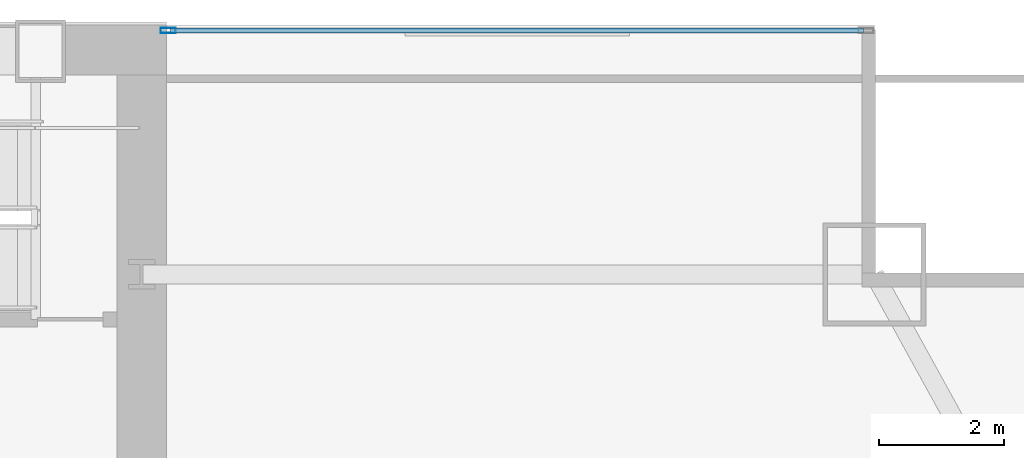
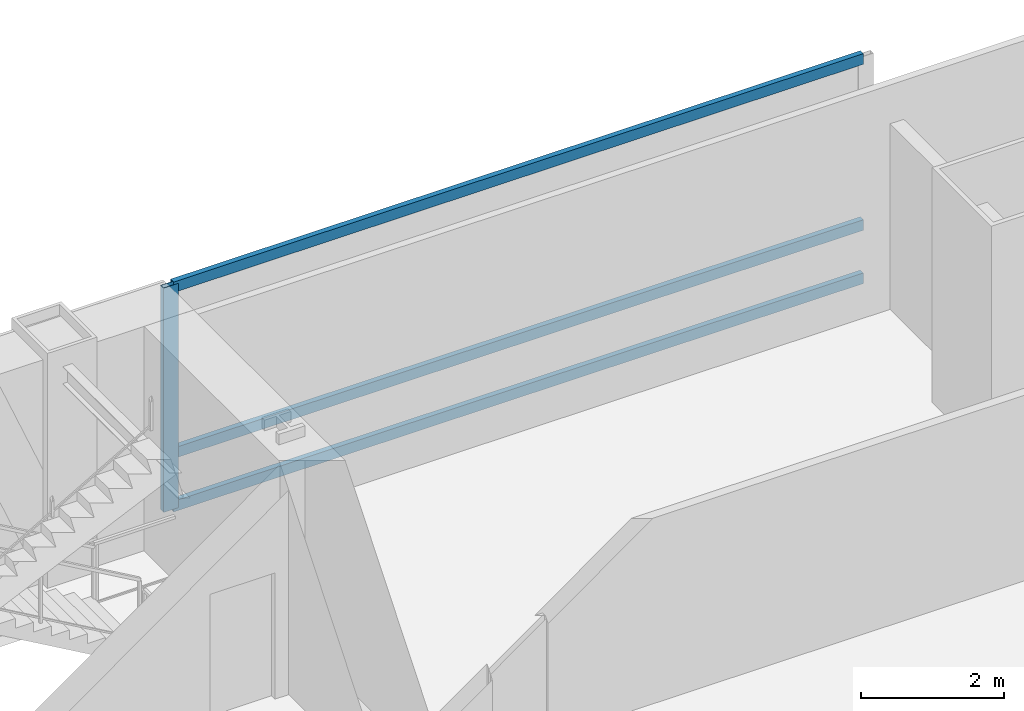
# One storey, part 20 of 33: 4 members, 1 element without a shape of its own.
"""IFC4 building model written with IfcOpenShell, lengths in metres."""

from ifc_helpers import new_model, si_unit, direction, frame, origin, origin_2d, place, context, subcontext, project, spatial, hollow_rectangle, extrude, material, material_profile, profile_set, type_object, element, aggregate, save


model = new_model("IFC4")

# Units and contexts
model_context = context("Model", 3, precision=1e-05, world=origin(), true_north=direction((0.0, 1.0)))
body_context = subcontext(model_context, "Body", "Model", "MODEL_VIEW")
ifc_project = project(units=[si_unit("LENGTHUNIT", "METRE"), si_unit("AREAUNIT", "SQUARE_METRE"), si_unit("VOLUMEUNIT", "CUBIC_METRE"), si_unit("PLANEANGLEUNIT", "RADIAN"), si_unit("MASSUNIT", "GRAM", prefix="KILO")], contexts=[model_context])

# Site, building, storey
site_placement = place(None, origin())
site = spatial("IfcSite", under=ifc_project, at=site_placement, CompositionType="ELEMENT")
building_placement = place(site_placement, origin())
building = spatial("IfcBuilding", under=site, at=building_placement, Name="Khoronbel Lancet Exchange", CompositionType="ELEMENT")
storey_placement = place(building_placement, frame((0.0, 0.0, 73.800048828125)))
storey = spatial("IfcBuildingStorey", under=building, at=storey_placement, Name="L17", CompositionType="ELEMENT", Elevation=73.800048828125)

# Curtain wall, members
ifc_material_1 = material(Name="Low-E Solar Control Insulating Glass", Category="glass")
curtain_wall_type = type_object("IfcCurtainWallType", Name="CW-1", PredefinedType="NOTDEFINED", material=ifc_material_1)
curtain_wall_placement = place(storey_placement, origin())
curtain_wall = element("IfcCurtainWall", 1, at=curtain_wall_placement, inside=storey, type_object=curtain_wall_type, Name="Unitised curtain wall CW-L17-NEFLK", PredefinedType="NOTDEFINED")
ifc_material_2 = material(Name="Bronze-Anodised Aluminium 6063-T6", Category="aluminium")
ifc_material_profile_1 = material_profile(ifc_material_2, hollow_rectangle(XDim=0.0849609375, YDim=0.239990234375, WallThickness=0.006103515625, at=origin_2d()), Name="ALU MULLION 85x240")
ifc_profile_set_1 = profile_set([ifc_material_profile_1], Name="Bronze-Anodised Aluminium 6063-T6")
member_type_1 = type_object("IfcMemberType", Name="MEM-CWM1", PredefinedType="MULLION", material=ifc_profile_set_1)
member_1_placement = place(storey_placement, frame((56.722412109375, 53.610107421875, 0.0), z_axis=(0.0, 0.0, 1.0), x_axis=(0.0, -1.0, 0.0)))
member_1 = element("IfcMember", 2, at=member_1_placement, type_object=member_type_1, Name="CW1 mullion 2", PredefinedType="MULLION", context=body_context, shape_type="SweptSolid", body=[
    extrude(hollow_rectangle(XDim=0.0849609375, YDim=0.239990234375, WallThickness=0.006103515625, at=origin_2d()), origin(), (0.0, 0.0, 1.0), 3.820068359375),
])
ifc_material_profile_2 = material_profile(ifc_material_2, hollow_rectangle(XDim=0.0849609375, YDim=0.179931640625, WallThickness=0.0048828125, at=origin_2d()), Name="ALU TRANSOM 85x180")
ifc_profile_set_2 = profile_set([ifc_material_profile_2], Name="Bronze-Anodised Aluminium 6063-T6")
member_type_2 = type_object("IfcMemberType", Name="MEM-CWT1", PredefinedType="USERDEFINED", material=ifc_profile_set_2)
member_2_placement = place(storey_placement, frame((67.875, 53.610107421875, 0.04248046875), z_axis=(-1.0, 0.0, 0.0), x_axis=(0.0, -1.0, 0.0)))
member_2 = element("IfcMember", 3, at=member_2_placement, type_object=member_type_2, Name="CW1 transom 1.1", ObjectType="TRANSOM", PredefinedType="USERDEFINED", context=body_context, shape_type="SweptSolid", body=[
    extrude(hollow_rectangle(XDim=0.0849609375, YDim=0.179931640625, WallThickness=0.0048828125, at=origin_2d()), origin(), (0.0, 0.0, 1.0), 11.110107421875),
])
member_3_placement = place(storey_placement, frame((67.875, 53.610107421875, 0.949951171875), z_axis=(-1.0, 0.0, 0.0), x_axis=(0.0, -1.0, 0.0)))
member_3 = element("IfcMember", 4, at=member_3_placement, type_object=member_type_2, Name="CW1 transom 1.2", ObjectType="TRANSOM", PredefinedType="USERDEFINED", context=body_context, shape_type="SweptSolid", body=[
    extrude(hollow_rectangle(XDim=0.0849609375, YDim=0.179931640625, WallThickness=0.0048828125, at=origin_2d()), origin(), (0.0, 0.0, 1.0), 11.110107421875),
])
member_4_placement = place(storey_placement, frame((67.875, 53.610107421875, 3.77734375), z_axis=(-1.0, 0.0, 0.0), x_axis=(0.0, -1.0, 0.0)))
member_4 = element("IfcMember", 5, at=member_4_placement, type_object=member_type_2, Name="CW1 transom 1.3", ObjectType="TRANSOM", PredefinedType="USERDEFINED", context=body_context, shape_type="SweptSolid", body=[
    extrude(hollow_rectangle(XDim=0.0849609375, YDim=0.179931640625, WallThickness=0.0048828125, at=origin_2d()), origin(), (0.0, 0.0, 1.0), 11.110107421875),
])
aggregate(curtain_wall, [member_1, member_2, member_3, member_4])

save(model, "model.ifc")
